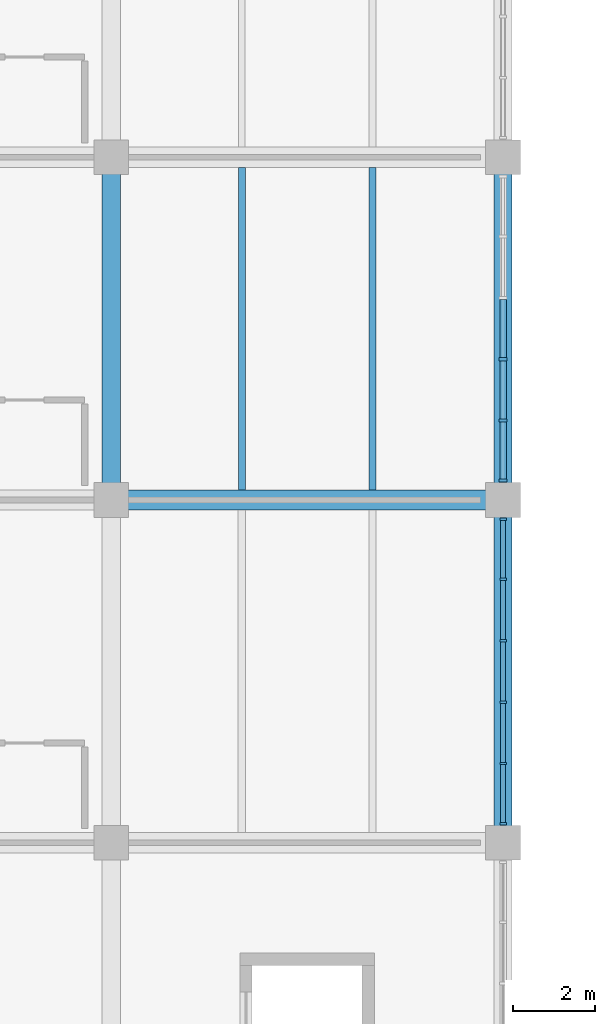
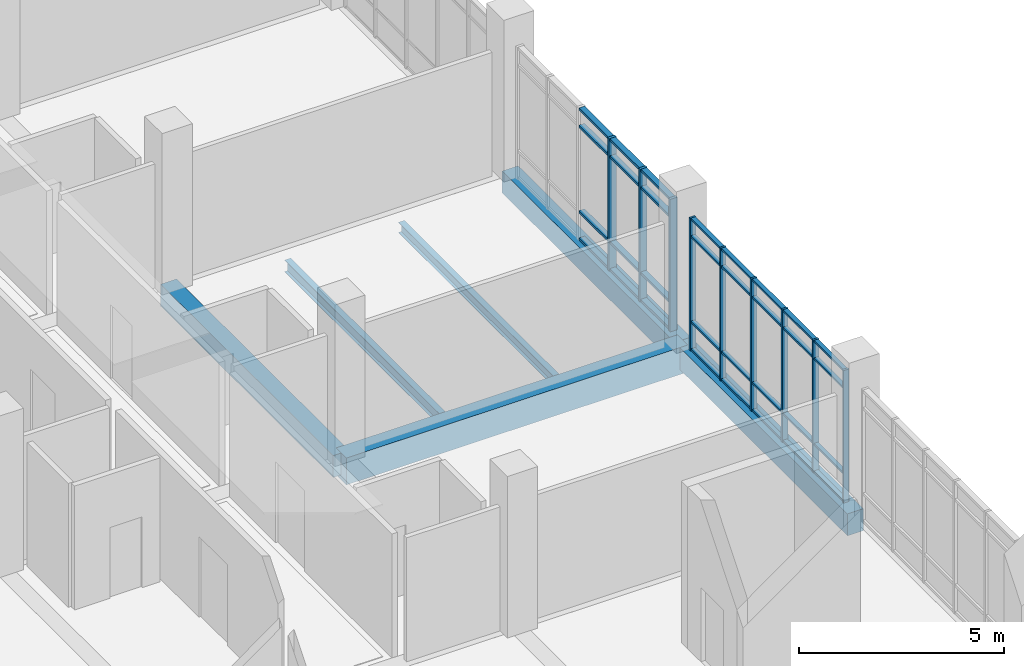
# One storey, part 18 of 152: 41 members, 6 beams, 2 elements without a shape of their own.
"""IFC4 building model written with IfcOpenShell, lengths in metres."""

from ifc_helpers import new_model, si_unit, direction, frame, origin, origin_2d, place, context, subcontext, project, spatial, rectangle, i_section, extrude, material, material_profile, profile_set, type_object, element, aggregate, save


model = new_model("IFC4")

# Units and contexts
model_context = context("Model", 3, precision=1e-05, world=origin(), true_north=direction((0.0, 1.0)))
body_context = subcontext(model_context, "Body", "Model", "MODEL_VIEW")
ifc_project = project(units=[si_unit("LENGTHUNIT", "METRE"), si_unit("AREAUNIT", "SQUARE_METRE"), si_unit("VOLUMEUNIT", "CUBIC_METRE"), si_unit("PLANEANGLEUNIT", "RADIAN"), si_unit("MASSUNIT", "GRAM", prefix="KILO")], contexts=[model_context])

# Site, building, storey
site_placement = place(None, origin())
site = spatial("IfcSite", under=ifc_project, at=site_placement, CompositionType="ELEMENT")
building_placement = place(site_placement, origin())
building = spatial("IfcBuilding", under=site, at=building_placement, Name="Oolite Switchyard Hospital", CompositionType="ELEMENT")
storey_placement = place(building_placement, frame((0.0, 0.0, 5.10009765625)))
storey = spatial("IfcBuildingStorey", under=building, at=storey_placement, Name="L01", CompositionType="ELEMENT", Elevation=5.10009765625)

# Beams
ifc_material_1 = material(Name="Concrete C40/50", Category="concrete")
ifc_material_profile_1 = material_profile(ifc_material_1, rectangle(XDim=0.449951171875, YDim=0.64990234375, at=origin_2d()), Name="RCB450X650")
ifc_profile_set_1 = profile_set([ifc_material_profile_1], Name="Concrete C40/50")
beam_type_1 = type_object("IfcBeamType", Name="BM-RC450X650", PredefinedType="BEAM", material=ifc_profile_set_1)
beam_1_placement = place(storey_placement, frame((48.0, 58.800048828125, -0.3251953125), z_axis=(0.0, 1.0, 0.0), x_axis=(-1.0, 0.0, 0.0)))
element("IfcBeam", 1, at=beam_1_placement, inside=storey, type_object=beam_type_1, Name="L01 Y-Girder 373", PredefinedType="BEAM", context=body_context, shape_type="SweptSolid", body=[
    extrude(rectangle(XDim=0.449951171875, YDim=0.64990234375, at=origin_2d()), origin(), (0.0, 0.0, 1.0), 8.39990234375),
])
beam_2_placement = place(storey_placement, frame((57.60009765625, 50.39990234375, -0.3251953125), z_axis=(0.0, 1.0, 0.0), x_axis=(-1.0, 0.0, 0.0)))
element("IfcBeam", 2, at=beam_2_placement, inside=storey, type_object=beam_type_1, Name="L01 Y-Girder 387", PredefinedType="BEAM", context=body_context, shape_type="SweptSolid", body=[
    extrude(rectangle(XDim=0.449951171875, YDim=0.64990234375, at=origin_2d()), origin(), (0.0, 0.0, 1.0), 8.400146484375),
])
beam_3_placement = place(storey_placement, frame((57.60009765625, 58.800048828125, -0.3251953125), z_axis=(0.0, 1.0, 0.0), x_axis=(-1.0, 0.0, 0.0)))
element("IfcBeam", 3, at=beam_3_placement, inside=storey, type_object=beam_type_1, Name="L01 Y-Girder 388", PredefinedType="BEAM", context=body_context, shape_type="SweptSolid", body=[
    extrude(rectangle(XDim=0.449951171875, YDim=0.64990234375, at=origin_2d()), origin(), (0.0, 0.0, 1.0), 8.39990234375),
])
ifc_material_profile_2 = material_profile(ifc_material_1, rectangle(XDim=0.5, YDim=0.800048828125, at=origin_2d()), Name="RCB500X800")
ifc_profile_set_2 = profile_set([ifc_material_profile_2], Name="Concrete C40/50")
beam_type_2 = type_object("IfcBeamType", Name="BM-RC500X800", PredefinedType="BEAM", material=ifc_profile_set_2)
beam_4_placement = place(storey_placement, frame((48.0, 58.800048828125, -0.400146484375), z_axis=(1.0, 0.0, 0.0), x_axis=(0.0, 1.0, 0.0)))
element("IfcBeam", 4, at=beam_4_placement, inside=storey, type_object=beam_type_2, Name="L01 X-Girder 117", PredefinedType="BEAM", context=body_context, shape_type="SweptSolid", body=[
    extrude(rectangle(XDim=0.5, YDim=0.800048828125, at=origin_2d()), origin(), (0.0, 0.0, 1.0), 9.60009765625),
])
ifc_material_2 = material(Name="Steel ASTM A992 Grade 50", Category="steel")
ifc_material_profile_3 = material_profile(ifc_material_2, i_section(OverallWidth=0.1650390625, OverallDepth=0.31005859375, WebThickness=0.006103515625, FlangeThickness=0.010009765625, at=origin_2d()), Name="W12X26")
ifc_profile_set_3 = profile_set([ifc_material_profile_3], Name="Steel ASTM A992 Grade 50")
beam_type_3 = type_object("IfcBeamType", Name="BM-W12X26", PredefinedType="JOIST", material=ifc_profile_set_3)
beam_5_placement = place(storey_placement, frame((54.39990234375, 59.050048828125, -0.455078125), z_axis=(0.0, 1.0, 0.0), x_axis=(-1.0, 0.0, 0.0)))
element("IfcBeam", 5, at=beam_5_placement, inside=storey, type_object=beam_type_3, Name="L01 Secondary Steel Joist 723", PredefinedType="JOIST", context=body_context, shape_type="SweptSolid", body=[
    extrude(i_section(OverallWidth=0.1650390625, OverallDepth=0.31005859375, WebThickness=0.006103515625, FlangeThickness=0.010009765625, at=origin_2d()), origin(), (0.0, 0.0, 1.0), 7.89990234375),
])
ifc_material_profile_4 = material_profile(ifc_material_2, i_section(OverallWidth=0.1708984375, OverallDepth=0.35107421875, WebThickness=0.007080078125, FlangeThickness=0.010009765625, at=origin_2d()), Name="W14X30")
ifc_profile_set_4 = profile_set([ifc_material_profile_4], Name="Steel ASTM A992 Grade 50")
beam_type_4 = type_object("IfcBeamType", Name="BM-W14X30", PredefinedType="JOIST", material=ifc_profile_set_4)
beam_6_placement = place(storey_placement, frame((51.199951171875, 59.050048828125, -0.47607421875), z_axis=(0.0, 1.0, 0.0), x_axis=(-1.0, 0.0, 0.0)))
element("IfcBeam", 6, at=beam_6_placement, inside=storey, type_object=beam_type_4, Name="L01 Secondary Steel Joist 722", PredefinedType="JOIST", context=body_context, shape_type="SweptSolid", body=[
    extrude(i_section(OverallWidth=0.1708984375, OverallDepth=0.35107421875, WebThickness=0.007080078125, FlangeThickness=0.010009765625, at=origin_2d()), origin(), (0.0, 0.0, 1.0), 7.89990234375),
])

# Curtain wall, members
ifc_material_3 = material(Name="Thermally broken aluminum frame with laminated impact glazing", Category="aluminium")
curtain_wall_type = type_object("IfcCurtainWallType", Name="CW-UNIT-84X48", PredefinedType="USERDEFINED", material=ifc_material_3)
curtain_wall_1_placement = place(storey_placement, origin())
curtain_wall_1 = element("IfcCurtainWall", 7, at=curtain_wall_1_placement, inside=storey, type_object=curtain_wall_type, Name="L01 Unitised Curtain Wall 170", ObjectType="UNITISED", PredefinedType="USERDEFINED")
ifc_material_4 = material(Name="Aluminium 6063-T6", Category="aluminium")
ifc_material_profile_5 = material_profile(ifc_material_4, rectangle(XDim=0.159912109375, YDim=0.06005859375, at=origin_2d()), Name="CWM60X160")
ifc_profile_set_5 = profile_set([ifc_material_profile_5], Name="Aluminium 6063-T6")
member_type_1 = type_object("IfcMemberType", Name="CW-MUL-180", PredefinedType="MULLION", material=ifc_profile_set_5)
member_1_placement = place(storey_placement, frame((57.60009765625, 58.330078125, 0.0), z_axis=(0.0, 0.0, 1.0), x_axis=(1.0, 0.0, 0.0)))
member_1 = element("IfcMember", 8, at=member_1_placement, type_object=member_type_1, Name="CW-07 mullion 1", PredefinedType="MULLION", context=body_context, shape_type="SweptSolid", body=[
    extrude(rectangle(XDim=0.159912109375, YDim=0.06005859375, at=origin_2d()), origin(), (0.0, 0.0, 1.0), 3.93994140625),
])
member_2_placement = place(storey_placement, frame((57.60009765625, 56.85595703125, 0.0), z_axis=(0.0, 0.0, 1.0), x_axis=(1.0, 0.0, 0.0)))
member_2 = element("IfcMember", 9, at=member_2_placement, type_object=member_type_1, Name="CW-07 mullion 2", PredefinedType="MULLION", context=body_context, shape_type="SweptSolid", body=[
    extrude(rectangle(XDim=0.159912109375, YDim=0.06005859375, at=origin_2d()), origin(), (0.0, 0.0, 1.0), 3.93994140625),
])
member_3_placement = place(storey_placement, frame((57.60009765625, 55.35205078125, 0.0), z_axis=(0.0, 0.0, 1.0), x_axis=(1.0, 0.0, 0.0)))
member_3 = element("IfcMember", 10, at=member_3_placement, type_object=member_type_1, Name="CW-07 mullion 3", PredefinedType="MULLION", context=body_context, shape_type="SweptSolid", body=[
    extrude(rectangle(XDim=0.159912109375, YDim=0.06005859375, at=origin_2d()), origin(), (0.0, 0.0, 1.0), 3.93994140625),
])
member_4_placement = place(storey_placement, frame((57.60009765625, 53.847900390625, 0.0), z_axis=(0.0, 0.0, 1.0), x_axis=(1.0, 0.0, 0.0)))
member_4 = element("IfcMember", 11, at=member_4_placement, type_object=member_type_1, Name="CW-07 mullion 4", PredefinedType="MULLION", context=body_context, shape_type="SweptSolid", body=[
    extrude(rectangle(XDim=0.159912109375, YDim=0.06005859375, at=origin_2d()), origin(), (0.0, 0.0, 1.0), 3.93994140625),
])
member_5_placement = place(storey_placement, frame((57.60009765625, 52.343994140625, 0.0), z_axis=(0.0, 0.0, 1.0), x_axis=(1.0, 0.0, 0.0)))
member_5 = element("IfcMember", 12, at=member_5_placement, type_object=member_type_1, Name="CW-07 mullion 5", PredefinedType="MULLION", context=body_context, shape_type="SweptSolid", body=[
    extrude(rectangle(XDim=0.159912109375, YDim=0.06005859375, at=origin_2d()), origin(), (0.0, 0.0, 1.0), 3.93994140625),
])
member_6_placement = place(storey_placement, frame((57.60009765625, 50.8701171875, 0.0), z_axis=(0.0, 0.0, 1.0), x_axis=(1.0, 0.0, 0.0)))
member_6 = element("IfcMember", 13, at=member_6_placement, type_object=member_type_1, Name="CW-07 mullion 6", PredefinedType="MULLION", context=body_context, shape_type="SweptSolid", body=[
    extrude(rectangle(XDim=0.159912109375, YDim=0.06005859375, at=origin_2d()), origin(), (0.0, 0.0, 1.0), 3.93994140625),
])

curtain_wall_2_placement = place(storey_placement, origin())
curtain_wall_2 = element("IfcCurtainWall", 14, at=curtain_wall_2_placement, inside=storey, type_object=curtain_wall_type, Name="L01 Unitised Curtain Wall 169", ObjectType="UNITISED", PredefinedType="USERDEFINED")
ifc_material_profile_6 = material_profile(ifc_material_4, rectangle(XDim=0.199951171875, YDim=0.074951171875, at=origin_2d()), Name="CWM75X200")
ifc_profile_set_6 = profile_set([ifc_material_profile_6], Name="Aluminium 6063-T6")
member_type_2 = type_object("IfcMemberType", Name="CW-MUL-260", PredefinedType="MULLION", material=ifc_profile_set_6)
member_7_placement = place(storey_placement, frame((57.60009765625, 62.248046875, 0.0), z_axis=(0.0, 0.0, 1.0), x_axis=(1.0, 0.0, 0.0)))
member_7 = element("IfcMember", 15, at=member_7_placement, type_object=member_type_2, Name="CW-07 mullion 4", PredefinedType="MULLION", context=body_context, shape_type="SweptSolid", body=[
    extrude(rectangle(XDim=0.199951171875, YDim=0.074951171875, at=origin_2d()), origin(), (0.0, 0.0, 1.0), 3.93994140625),
])
member_8_placement = place(storey_placement, frame((57.60009765625, 60.743896484375, 0.0), z_axis=(0.0, 0.0, 1.0), x_axis=(1.0, 0.0, 0.0)))
member_8 = element("IfcMember", 16, at=member_8_placement, type_object=member_type_2, Name="CW-07 mullion 5", PredefinedType="MULLION", context=body_context, shape_type="SweptSolid", body=[
    extrude(rectangle(XDim=0.199951171875, YDim=0.074951171875, at=origin_2d()), origin(), (0.0, 0.0, 1.0), 3.93994140625),
])
member_9_placement = place(storey_placement, frame((57.60009765625, 59.277587890625, 0.0), z_axis=(0.0, 0.0, 1.0), x_axis=(1.0, 0.0, 0.0)))
member_9 = element("IfcMember", 17, at=member_9_placement, type_object=member_type_2, Name="CW-07 mullion 6", PredefinedType="MULLION", context=body_context, shape_type="SweptSolid", body=[
    extrude(rectangle(XDim=0.199951171875, YDim=0.074951171875, at=origin_2d()), origin(), (0.0, 0.0, 1.0), 3.93994140625),
])

# Member
ifc_material_profile_7 = material_profile(ifc_material_4, rectangle(XDim=0.1201171875, YDim=0.06005859375, at=origin_2d()), Name="CWT60X120")
ifc_profile_set_7 = profile_set([ifc_material_profile_7], Name="Aluminium 6063-T6")
member_type_3 = type_object("IfcMemberType", Name="CW-TRN-150", PredefinedType="USERDEFINED", material=ifc_profile_set_7)
member_10_placement = place(storey_placement, frame((57.60009765625, 58.300048828125, 0.02978515625), z_axis=(0.0, -1.0, 0.0), x_axis=(1.0, 0.0, 0.0)))
member_10 = element("IfcMember", 18, at=member_10_placement, type_object=member_type_3, Name="CW-07 transom 1.1", ObjectType="TRANSOM", PredefinedType="USERDEFINED", context=body_context, shape_type="SweptSolid", body=[
    extrude(rectangle(XDim=0.1201171875, YDim=0.06005859375, at=origin_2d()), origin(), (0.0, 0.0, 1.0), 1.4140625),
])

member_11_placement = place(storey_placement, frame((57.60009765625, 58.300048828125, 0.849853515625), z_axis=(0.0, -1.0, 0.0), x_axis=(1.0, 0.0, 0.0)))
member_11 = element("IfcMember", 19, at=member_11_placement, type_object=member_type_3, Name="CW-07 transom 1.2", ObjectType="TRANSOM", PredefinedType="USERDEFINED", context=body_context, shape_type="SweptSolid", body=[
    extrude(rectangle(XDim=0.1201171875, YDim=0.06005859375, at=origin_2d()), origin(), (0.0, 0.0, 1.0), 1.4140625),
])

member_12_placement = place(storey_placement, frame((57.60009765625, 58.300048828125, 3.389892578125), z_axis=(0.0, -1.0, 0.0), x_axis=(1.0, 0.0, 0.0)))
member_12 = element("IfcMember", 20, at=member_12_placement, type_object=member_type_3, Name="CW-07 transom 1.3", ObjectType="TRANSOM", PredefinedType="USERDEFINED", context=body_context, shape_type="SweptSolid", body=[
    extrude(rectangle(XDim=0.1201171875, YDim=0.06005859375, at=origin_2d()), origin(), (0.0, 0.0, 1.0), 1.4140625),
])

member_13_placement = place(storey_placement, frame((57.60009765625, 58.300048828125, 3.909912109375), z_axis=(0.0, -1.0, 0.0), x_axis=(1.0, 0.0, 0.0)))
member_13 = element("IfcMember", 21, at=member_13_placement, type_object=member_type_3, Name="CW-07 transom 1.4", ObjectType="TRANSOM", PredefinedType="USERDEFINED", context=body_context, shape_type="SweptSolid", body=[
    extrude(rectangle(XDim=0.1201171875, YDim=0.06005859375, at=origin_2d()), origin(), (0.0, 0.0, 1.0), 1.4140625),
])

member_14_placement = place(storey_placement, frame((57.60009765625, 56.825927734375, 0.02978515625), z_axis=(0.0, -1.0, 0.0), x_axis=(1.0, 0.0, 0.0)))
member_14 = element("IfcMember", 22, at=member_14_placement, type_object=member_type_3, Name="CW-07 transom 2.1", ObjectType="TRANSOM", PredefinedType="USERDEFINED", context=body_context, shape_type="SweptSolid", body=[
    extrude(rectangle(XDim=0.1201171875, YDim=0.06005859375, at=origin_2d()), origin(), (0.0, 0.0, 1.0), 1.44384765625),
])

member_15_placement = place(storey_placement, frame((57.60009765625, 56.825927734375, 0.849853515625), z_axis=(0.0, -1.0, 0.0), x_axis=(1.0, 0.0, 0.0)))
member_15 = element("IfcMember", 23, at=member_15_placement, type_object=member_type_3, Name="CW-07 transom 2.2", ObjectType="TRANSOM", PredefinedType="USERDEFINED", context=body_context, shape_type="SweptSolid", body=[
    extrude(rectangle(XDim=0.1201171875, YDim=0.06005859375, at=origin_2d()), origin(), (0.0, 0.0, 1.0), 1.44384765625),
])

member_16_placement = place(storey_placement, frame((57.60009765625, 56.825927734375, 3.389892578125), z_axis=(0.0, -1.0, 0.0), x_axis=(1.0, 0.0, 0.0)))
member_16 = element("IfcMember", 24, at=member_16_placement, type_object=member_type_3, Name="CW-07 transom 2.3", ObjectType="TRANSOM", PredefinedType="USERDEFINED", context=body_context, shape_type="SweptSolid", body=[
    extrude(rectangle(XDim=0.1201171875, YDim=0.06005859375, at=origin_2d()), origin(), (0.0, 0.0, 1.0), 1.44384765625),
])

member_17_placement = place(storey_placement, frame((57.60009765625, 56.825927734375, 3.909912109375), z_axis=(0.0, -1.0, 0.0), x_axis=(1.0, 0.0, 0.0)))
member_17 = element("IfcMember", 25, at=member_17_placement, type_object=member_type_3, Name="CW-07 transom 2.4", ObjectType="TRANSOM", PredefinedType="USERDEFINED", context=body_context, shape_type="SweptSolid", body=[
    extrude(rectangle(XDim=0.1201171875, YDim=0.06005859375, at=origin_2d()), origin(), (0.0, 0.0, 1.0), 1.44384765625),
])

member_18_placement = place(storey_placement, frame((57.60009765625, 55.322021484375, 0.02978515625), z_axis=(0.0, -1.0, 0.0), x_axis=(1.0, 0.0, 0.0)))
member_18 = element("IfcMember", 26, at=member_18_placement, type_object=member_type_3, Name="CW-07 transom 3.1", ObjectType="TRANSOM", PredefinedType="USERDEFINED", context=body_context, shape_type="SweptSolid", body=[
    extrude(rectangle(XDim=0.1201171875, YDim=0.06005859375, at=origin_2d()), origin(), (0.0, 0.0, 1.0), 1.444091796875),
])

member_19_placement = place(storey_placement, frame((57.60009765625, 55.322021484375, 0.849853515625), z_axis=(0.0, -1.0, 0.0), x_axis=(1.0, 0.0, 0.0)))
member_19 = element("IfcMember", 27, at=member_19_placement, type_object=member_type_3, Name="CW-07 transom 3.2", ObjectType="TRANSOM", PredefinedType="USERDEFINED", context=body_context, shape_type="SweptSolid", body=[
    extrude(rectangle(XDim=0.1201171875, YDim=0.06005859375, at=origin_2d()), origin(), (0.0, 0.0, 1.0), 1.444091796875),
])

member_20_placement = place(storey_placement, frame((57.60009765625, 55.322021484375, 3.389892578125), z_axis=(0.0, -1.0, 0.0), x_axis=(1.0, 0.0, 0.0)))
member_20 = element("IfcMember", 28, at=member_20_placement, type_object=member_type_3, Name="CW-07 transom 3.3", ObjectType="TRANSOM", PredefinedType="USERDEFINED", context=body_context, shape_type="SweptSolid", body=[
    extrude(rectangle(XDim=0.1201171875, YDim=0.06005859375, at=origin_2d()), origin(), (0.0, 0.0, 1.0), 1.444091796875),
])

member_21_placement = place(storey_placement, frame((57.60009765625, 55.322021484375, 3.909912109375), z_axis=(0.0, -1.0, 0.0), x_axis=(1.0, 0.0, 0.0)))
member_21 = element("IfcMember", 29, at=member_21_placement, type_object=member_type_3, Name="CW-07 transom 3.4", ObjectType="TRANSOM", PredefinedType="USERDEFINED", context=body_context, shape_type="SweptSolid", body=[
    extrude(rectangle(XDim=0.1201171875, YDim=0.06005859375, at=origin_2d()), origin(), (0.0, 0.0, 1.0), 1.444091796875),
])

member_22_placement = place(storey_placement, frame((57.60009765625, 53.818115234375, 0.02978515625), z_axis=(0.0, -1.0, 0.0), x_axis=(1.0, 0.0, 0.0)))
member_22 = element("IfcMember", 30, at=member_22_placement, type_object=member_type_3, Name="CW-07 transom 4.1", ObjectType="TRANSOM", PredefinedType="USERDEFINED", context=body_context, shape_type="SweptSolid", body=[
    extrude(rectangle(XDim=0.1201171875, YDim=0.06005859375, at=origin_2d()), origin(), (0.0, 0.0, 1.0), 1.444091796875),
])

member_23_placement = place(storey_placement, frame((57.60009765625, 53.818115234375, 0.849853515625), z_axis=(0.0, -1.0, 0.0), x_axis=(1.0, 0.0, 0.0)))
member_23 = element("IfcMember", 31, at=member_23_placement, type_object=member_type_3, Name="CW-07 transom 4.2", ObjectType="TRANSOM", PredefinedType="USERDEFINED", context=body_context, shape_type="SweptSolid", body=[
    extrude(rectangle(XDim=0.1201171875, YDim=0.06005859375, at=origin_2d()), origin(), (0.0, 0.0, 1.0), 1.444091796875),
])

member_24_placement = place(storey_placement, frame((57.60009765625, 53.818115234375, 3.389892578125), z_axis=(0.0, -1.0, 0.0), x_axis=(1.0, 0.0, 0.0)))
member_24 = element("IfcMember", 32, at=member_24_placement, type_object=member_type_3, Name="CW-07 transom 4.3", ObjectType="TRANSOM", PredefinedType="USERDEFINED", context=body_context, shape_type="SweptSolid", body=[
    extrude(rectangle(XDim=0.1201171875, YDim=0.06005859375, at=origin_2d()), origin(), (0.0, 0.0, 1.0), 1.444091796875),
])

member_25_placement = place(storey_placement, frame((57.60009765625, 53.818115234375, 3.909912109375), z_axis=(0.0, -1.0, 0.0), x_axis=(1.0, 0.0, 0.0)))
member_25 = element("IfcMember", 33, at=member_25_placement, type_object=member_type_3, Name="CW-07 transom 4.4", ObjectType="TRANSOM", PredefinedType="USERDEFINED", context=body_context, shape_type="SweptSolid", body=[
    extrude(rectangle(XDim=0.1201171875, YDim=0.06005859375, at=origin_2d()), origin(), (0.0, 0.0, 1.0), 1.444091796875),
])

member_26_placement = place(storey_placement, frame((57.60009765625, 52.31396484375, 0.02978515625), z_axis=(0.0, -1.0, 0.0), x_axis=(1.0, 0.0, 0.0)))
member_26 = element("IfcMember", 34, at=member_26_placement, type_object=member_type_3, Name="CW-07 transom 5.1", ObjectType="TRANSOM", PredefinedType="USERDEFINED", context=body_context, shape_type="SweptSolid", body=[
    extrude(rectangle(XDim=0.1201171875, YDim=0.06005859375, at=origin_2d()), origin(), (0.0, 0.0, 1.0), 1.4140625),
])

member_27_placement = place(storey_placement, frame((57.60009765625, 52.31396484375, 0.849853515625), z_axis=(0.0, -1.0, 0.0), x_axis=(1.0, 0.0, 0.0)))
member_27 = element("IfcMember", 35, at=member_27_placement, type_object=member_type_3, Name="CW-07 transom 5.2", ObjectType="TRANSOM", PredefinedType="USERDEFINED", context=body_context, shape_type="SweptSolid", body=[
    extrude(rectangle(XDim=0.1201171875, YDim=0.06005859375, at=origin_2d()), origin(), (0.0, 0.0, 1.0), 1.4140625),
])

member_28_placement = place(storey_placement, frame((57.60009765625, 52.31396484375, 3.389892578125), z_axis=(0.0, -1.0, 0.0), x_axis=(1.0, 0.0, 0.0)))
member_28 = element("IfcMember", 36, at=member_28_placement, type_object=member_type_3, Name="CW-07 transom 5.3", ObjectType="TRANSOM", PredefinedType="USERDEFINED", context=body_context, shape_type="SweptSolid", body=[
    extrude(rectangle(XDim=0.1201171875, YDim=0.06005859375, at=origin_2d()), origin(), (0.0, 0.0, 1.0), 1.4140625),
])

member_29_placement = place(storey_placement, frame((57.60009765625, 52.31396484375, 3.909912109375), z_axis=(0.0, -1.0, 0.0), x_axis=(1.0, 0.0, 0.0)))
member_29 = element("IfcMember", 37, at=member_29_placement, type_object=member_type_3, Name="CW-07 transom 5.4", ObjectType="TRANSOM", PredefinedType="USERDEFINED", context=body_context, shape_type="SweptSolid", body=[
    extrude(rectangle(XDim=0.1201171875, YDim=0.06005859375, at=origin_2d()), origin(), (0.0, 0.0, 1.0), 1.4140625),
])

aggregate(curtain_wall_1, [member_1, member_2, member_3, member_4, member_5, member_6, member_10, member_11, member_12, member_13, member_14, member_15, member_16, member_17, member_18, member_19, member_20, member_21, member_22, member_23, member_24, member_25, member_26, member_27, member_28, member_29])

ifc_material_profile_8 = material_profile(ifc_material_4, rectangle(XDim=0.159912109375, YDim=0.074951171875, at=origin_2d()), Name="CWT75X160")
ifc_profile_set_8 = profile_set([ifc_material_profile_8], Name="Aluminium 6063-T6")
member_type_4 = type_object("IfcMemberType", Name="CW-TRN-180", PredefinedType="USERDEFINED", material=ifc_profile_set_8)
member_30_placement = place(storey_placement, frame((57.60009765625, 63.714599609375, 0.037353515625), z_axis=(0.0, -1.0, 0.0), x_axis=(1.0, 0.0, 0.0)))
member_30 = element("IfcMember", 38, at=member_30_placement, type_object=member_type_4, Name="CW-07 transom 3.1", ObjectType="TRANSOM", PredefinedType="USERDEFINED", context=body_context, shape_type="SweptSolid", body=[
    extrude(rectangle(XDim=0.159912109375, YDim=0.074951171875, at=origin_2d()), origin(), (0.0, 0.0, 1.0), 1.42919921875),
])

member_31_placement = place(storey_placement, frame((57.60009765625, 63.714599609375, 0.849853515625), z_axis=(0.0, -1.0, 0.0), x_axis=(1.0, 0.0, 0.0)))
member_31 = element("IfcMember", 39, at=member_31_placement, type_object=member_type_4, Name="CW-07 transom 3.2", ObjectType="TRANSOM", PredefinedType="USERDEFINED", context=body_context, shape_type="SweptSolid", body=[
    extrude(rectangle(XDim=0.159912109375, YDim=0.074951171875, at=origin_2d()), origin(), (0.0, 0.0, 1.0), 1.42919921875),
])

member_32_placement = place(storey_placement, frame((57.60009765625, 63.714599609375, 3.389892578125), z_axis=(0.0, -1.0, 0.0), x_axis=(1.0, 0.0, 0.0)))
member_32 = element("IfcMember", 40, at=member_32_placement, type_object=member_type_4, Name="CW-07 transom 3.3", ObjectType="TRANSOM", PredefinedType="USERDEFINED", context=body_context, shape_type="SweptSolid", body=[
    extrude(rectangle(XDim=0.159912109375, YDim=0.074951171875, at=origin_2d()), origin(), (0.0, 0.0, 1.0), 1.42919921875),
])

member_33_placement = place(storey_placement, frame((57.60009765625, 63.714599609375, 3.90234375), z_axis=(0.0, -1.0, 0.0), x_axis=(1.0, 0.0, 0.0)))
member_33 = element("IfcMember", 41, at=member_33_placement, type_object=member_type_4, Name="CW-07 transom 3.4", ObjectType="TRANSOM", PredefinedType="USERDEFINED", context=body_context, shape_type="SweptSolid", body=[
    extrude(rectangle(XDim=0.159912109375, YDim=0.074951171875, at=origin_2d()), origin(), (0.0, 0.0, 1.0), 1.42919921875),
])

member_34_placement = place(storey_placement, frame((57.60009765625, 62.21044921875, 0.037353515625), z_axis=(0.0, -1.0, 0.0), x_axis=(1.0, 0.0, 0.0)))
member_34 = element("IfcMember", 42, at=member_34_placement, type_object=member_type_4, Name="CW-07 transom 4.1", ObjectType="TRANSOM", PredefinedType="USERDEFINED", context=body_context, shape_type="SweptSolid", body=[
    extrude(rectangle(XDim=0.159912109375, YDim=0.074951171875, at=origin_2d()), origin(), (0.0, 0.0, 1.0), 1.428955078125),
])

member_35_placement = place(storey_placement, frame((57.60009765625, 62.21044921875, 0.849853515625), z_axis=(0.0, -1.0, 0.0), x_axis=(1.0, 0.0, 0.0)))
member_35 = element("IfcMember", 43, at=member_35_placement, type_object=member_type_4, Name="CW-07 transom 4.2", ObjectType="TRANSOM", PredefinedType="USERDEFINED", context=body_context, shape_type="SweptSolid", body=[
    extrude(rectangle(XDim=0.159912109375, YDim=0.074951171875, at=origin_2d()), origin(), (0.0, 0.0, 1.0), 1.428955078125),
])

member_36_placement = place(storey_placement, frame((57.60009765625, 62.21044921875, 3.389892578125), z_axis=(0.0, -1.0, 0.0), x_axis=(1.0, 0.0, 0.0)))
member_36 = element("IfcMember", 44, at=member_36_placement, type_object=member_type_4, Name="CW-07 transom 4.3", ObjectType="TRANSOM", PredefinedType="USERDEFINED", context=body_context, shape_type="SweptSolid", body=[
    extrude(rectangle(XDim=0.159912109375, YDim=0.074951171875, at=origin_2d()), origin(), (0.0, 0.0, 1.0), 1.428955078125),
])

member_37_placement = place(storey_placement, frame((57.60009765625, 62.21044921875, 3.90234375), z_axis=(0.0, -1.0, 0.0), x_axis=(1.0, 0.0, 0.0)))
member_37 = element("IfcMember", 45, at=member_37_placement, type_object=member_type_4, Name="CW-07 transom 4.4", ObjectType="TRANSOM", PredefinedType="USERDEFINED", context=body_context, shape_type="SweptSolid", body=[
    extrude(rectangle(XDim=0.159912109375, YDim=0.074951171875, at=origin_2d()), origin(), (0.0, 0.0, 1.0), 1.428955078125),
])

member_38_placement = place(storey_placement, frame((57.60009765625, 60.70654296875, 0.037353515625), z_axis=(0.0, -1.0, 0.0), x_axis=(1.0, 0.0, 0.0)))
member_38 = element("IfcMember", 46, at=member_38_placement, type_object=member_type_4, Name="CW-07 transom 5.1", ObjectType="TRANSOM", PredefinedType="USERDEFINED", context=body_context, shape_type="SweptSolid", body=[
    extrude(rectangle(XDim=0.159912109375, YDim=0.074951171875, at=origin_2d()), origin(), (0.0, 0.0, 1.0), 1.3916015625),
])

member_39_placement = place(storey_placement, frame((57.60009765625, 60.70654296875, 0.849853515625), z_axis=(0.0, -1.0, 0.0), x_axis=(1.0, 0.0, 0.0)))
member_39 = element("IfcMember", 47, at=member_39_placement, type_object=member_type_4, Name="CW-07 transom 5.2", ObjectType="TRANSOM", PredefinedType="USERDEFINED", context=body_context, shape_type="SweptSolid", body=[
    extrude(rectangle(XDim=0.159912109375, YDim=0.074951171875, at=origin_2d()), origin(), (0.0, 0.0, 1.0), 1.3916015625),
])

member_40_placement = place(storey_placement, frame((57.60009765625, 60.70654296875, 3.389892578125), z_axis=(0.0, -1.0, 0.0), x_axis=(1.0, 0.0, 0.0)))
member_40 = element("IfcMember", 48, at=member_40_placement, type_object=member_type_4, Name="CW-07 transom 5.3", ObjectType="TRANSOM", PredefinedType="USERDEFINED", context=body_context, shape_type="SweptSolid", body=[
    extrude(rectangle(XDim=0.159912109375, YDim=0.074951171875, at=origin_2d()), origin(), (0.0, 0.0, 1.0), 1.3916015625),
])

member_41_placement = place(storey_placement, frame((57.60009765625, 60.70654296875, 3.90234375), z_axis=(0.0, -1.0, 0.0), x_axis=(1.0, 0.0, 0.0)))
member_41 = element("IfcMember", 49, at=member_41_placement, type_object=member_type_4, Name="CW-07 transom 5.4", ObjectType="TRANSOM", PredefinedType="USERDEFINED", context=body_context, shape_type="SweptSolid", body=[
    extrude(rectangle(XDim=0.159912109375, YDim=0.074951171875, at=origin_2d()), origin(), (0.0, 0.0, 1.0), 1.3916015625),
])

aggregate(curtain_wall_2, [member_7, member_8, member_9, member_30, member_31, member_32, member_33, member_34, member_35, member_36, member_37, member_38, member_39, member_40, member_41])

save(model, "model.ifc")
